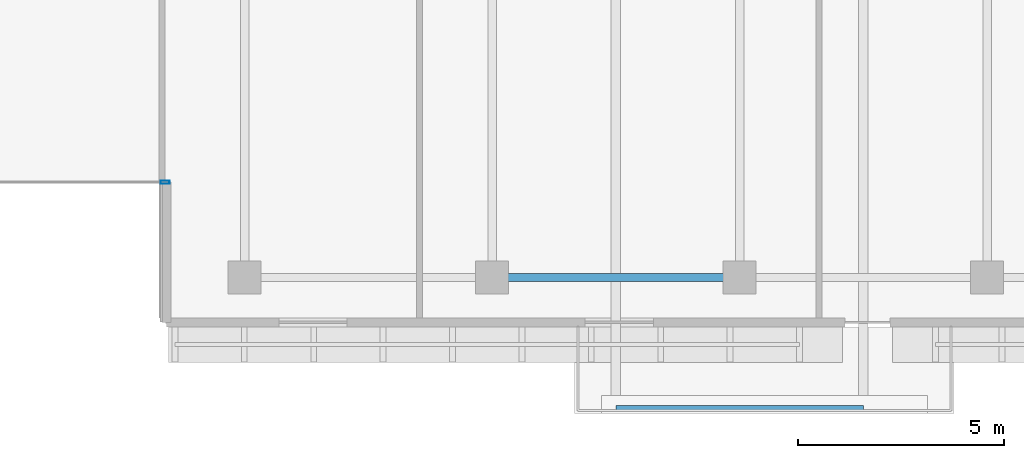
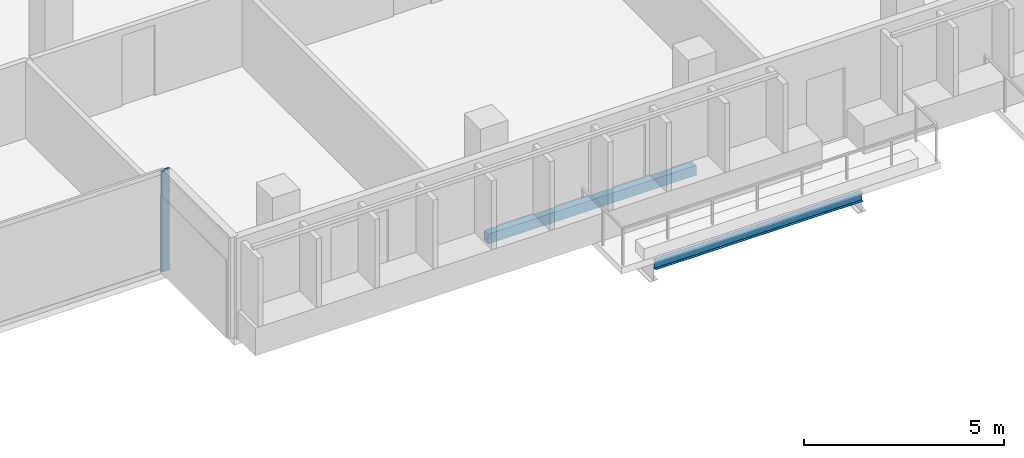
# One storey, part 4 of 22: 2 beams, 1 member, 1 element without a shape of its own.
"""IFC4 building model written with IfcOpenShell, lengths in metres."""

from ifc_helpers import new_model, si_unit, direction, frame, origin, origin_2d, place, context, subcontext, project, spatial, hollow_rectangle, i_section, extrude, material, layer, layer_set, material_profile, profile_set, type_object, element, aggregate, save


model = new_model("IFC4")

# Units and contexts
model_context = context("Model", 3, precision=1e-05, world=origin(), true_north=direction((0.0, 1.0)))
body_context = subcontext(model_context, "Body", "Model", "MODEL_VIEW")
ifc_project = project(units=[si_unit("LENGTHUNIT", "METRE"), si_unit("AREAUNIT", "SQUARE_METRE"), si_unit("VOLUMEUNIT", "CUBIC_METRE"), si_unit("PLANEANGLEUNIT", "RADIAN"), si_unit("MASSUNIT", "GRAM", prefix="KILO")], contexts=[model_context])

# Site, building, storey
site_placement = place(None, origin())
site = spatial("IfcSite", under=ifc_project, at=site_placement, CompositionType="ELEMENT")
building_placement = place(site_placement, origin())
building = spatial("IfcBuilding", under=site, at=building_placement, Name="Tanjung Sevakor Pilgrim Tower", CompositionType="ELEMENT")
storey_placement = place(building_placement, frame((0.0, 0.0, 195.030029296875)))
storey = spatial("IfcBuildingStorey", under=building, at=storey_placement, Name="L54", CompositionType="ELEMENT", Elevation=195.030029296875)

# Beams
ifc_material_1 = material(Name="Steel S355J2", Category="steel")
ifc_material_profile_1 = material_profile(ifc_material_1, i_section(OverallWidth=0.146484375, OverallDepth=0.256103515625, WebThickness=0.00634765625, FlangeThickness=0.010986328125, FilletRadius=0.007568359375, at=origin_2d()))
ifc_profile_set_1 = profile_set([ifc_material_profile_1], Name="Steel S355J2")
beam_type_1 = type_object("IfcBeamType", Name="BM-B-J6-UB_254x146x37", PredefinedType="JOIST", material=ifc_profile_set_1)
beam_1_placement = place(storey_placement, frame((63.0, 10.070068359375, -0.328125), z_axis=(1.0, 0.0, 0.0), x_axis=(0.0, 1.0, 0.0)))
element("IfcBeam", 1, at=beam_1_placement, inside=storey, type_object=beam_type_1, Name="L54 Balcony Rim Tie MAIN-S2", PredefinedType="JOIST", context=body_context, shape_type="SweptSolid", body=[
    extrude(i_section(OverallWidth=0.146484375, OverallDepth=0.256103515625, WebThickness=0.00634765625, FlangeThickness=0.010986328125, FilletRadius=0.007568359375, at=origin_2d()), origin(), (0.0, 0.0, 1.0), 6.0),
])
ifc_material_2 = material(Name="Steel S355J2", Category="steel")
ifc_material_profile_2 = material_profile(ifc_material_2, hollow_rectangle(XDim=0.199951171875, YDim=0.300048828125, WallThickness=0.012451171875, at=origin_2d()))
ifc_profile_set_2 = profile_set([ifc_material_profile_2], Name="Steel S355J2")
beam_type_2 = type_object("IfcBeamType", Name="BM-B-SP3-RHS_300x200x12.5", PredefinedType="SPANDREL", material=ifc_profile_set_2)
beam_2_placement = place(storey_placement, frame((60.0, 13.25, -0.3701171875), z_axis=(1.0, 0.0, 0.0), x_axis=(0.0, 1.0, 0.0)))
element("IfcBeam", 2, at=beam_2_placement, inside=storey, type_object=beam_type_2, Name="L54 Spandrel MAIN S-07", PredefinedType="SPANDREL", context=body_context, shape_type="SweptSolid", body=[
    extrude(hollow_rectangle(XDim=0.199951171875, YDim=0.300048828125, WallThickness=0.012451171875, at=origin_2d()), origin(), (0.0, 0.0, 1.0), 6.0),
])

# Curtain wall, member
ifc_material_3 = material(Name="Aluminium 6063-T6 and Low-E Glass", Category="aluminium")
ifc_layer = layer(ifc_material_3, 0.179931640625)
ifc_layer_set = layer_set([ifc_layer], Name="CW-SYS-CLEFT")
curtain_wall_type = type_object("IfcCurtainWallType", Name="CW-SYS-CLEFT", PredefinedType="NOTDEFINED", material=ifc_layer_set)
curtain_wall_placement = place(storey_placement, origin())
curtain_wall = element("IfcCurtainWall", 3, at=curtain_wall_placement, inside=storey, type_object=curtain_wall_type, Name="L54 Curtain Wall CW-CLF-L54-2", PredefinedType="NOTDEFINED")
ifc_material_4 = material(Name="Aluminium 6063-T6", Category="aluminium")
ifc_material_profile_3 = material_profile(ifc_material_4, hollow_rectangle(XDim=0.074951171875, YDim=0.219970703125, WallThickness=0.0048828125, at=origin_2d()))
ifc_profile_set_3 = profile_set([ifc_material_profile_3], Name="Aluminium 6063-T6")
member_type = type_object("IfcMemberType", Name="TYPE-CWM-2", PredefinedType="MULLION", material=ifc_profile_set_3)
member_placement = place(storey_placement, frame((52.072509765625, 15.56005859375, 0.0), z_axis=(0.0, 0.0, 1.0), x_axis=(0.0, 1.0, 0.0)))
member = element("IfcMember", 4, at=member_placement, type_object=member_type, Name="CW-CLF mullion 2", PredefinedType="MULLION", context=body_context, shape_type="SweptSolid", body=[
    extrude(hollow_rectangle(XDim=0.074951171875, YDim=0.219970703125, WallThickness=0.0048828125, at=origin_2d()), origin(), (0.0, 0.0, 1.0), 3.080078125),
])
aggregate(curtain_wall, [member])

save(model, "model.ifc")
